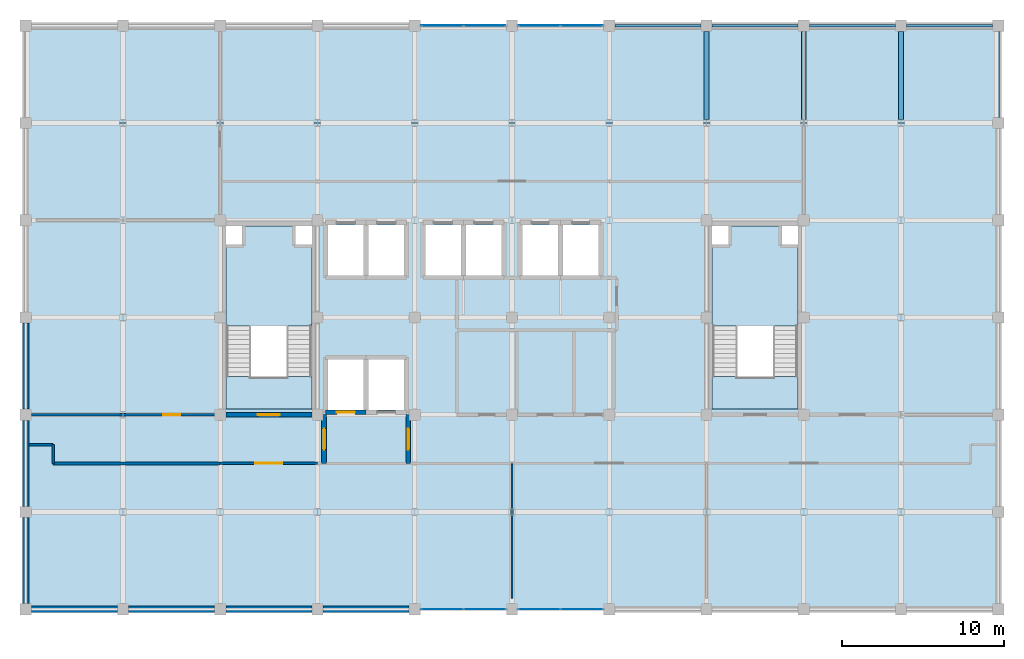
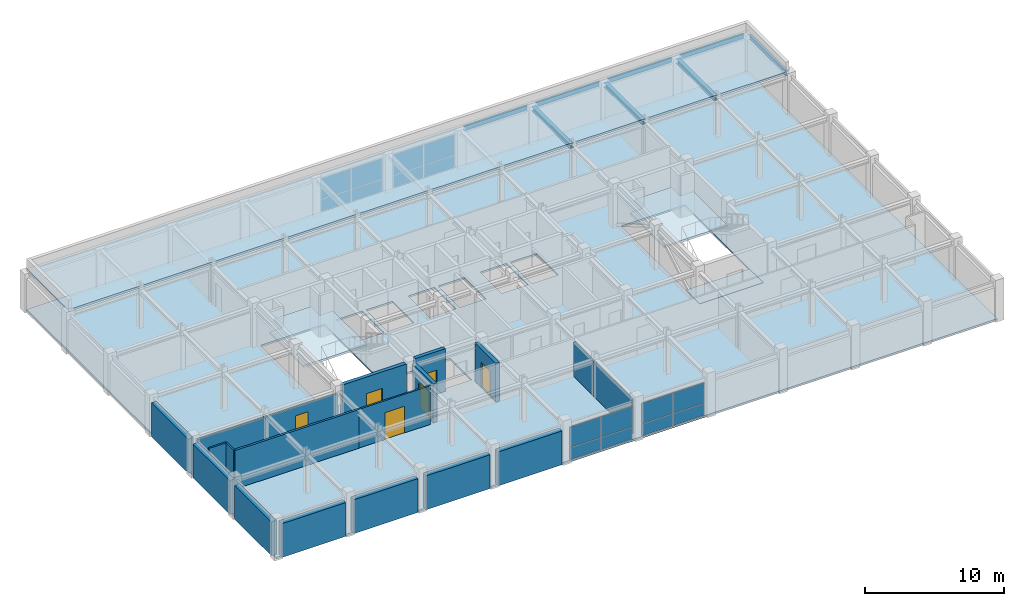
# One storey, part 9 of 12: 18 walls, 16 plates, 8 beams, 6 doors, 6 slabs, 6 openings, 6 elements without a shape of their own.
"""IFC4 building model written with IfcOpenShell, lengths in metres."""

from ifc_helpers import new_model, si_unit, direction, frame, frame_2d, origin, origin_2d, place, context, subcontext, project, spatial, polyline, rectangle, i_section, outline, extrude, material, layer, layer_set, material_profile, profile_set, type_object, element, fill, aggregate, save


model = new_model("IFC4")

# Units and contexts
model_context = context("Model", 3, precision=1e-05, world=origin(), true_north=direction((0.0, 1.0)))
body_context = subcontext(model_context, "Body", "Model", "MODEL_VIEW")
ifc_project = project(units=[si_unit("LENGTHUNIT", "METRE"), si_unit("AREAUNIT", "SQUARE_METRE"), si_unit("VOLUMEUNIT", "CUBIC_METRE"), si_unit("PLANEANGLEUNIT", "RADIAN"), si_unit("MASSUNIT", "GRAM", prefix="KILO")], contexts=[model_context])

# Site, building, storey
site_placement = place(None, origin())
site = spatial("IfcSite", under=ifc_project, at=site_placement, CompositionType="ELEMENT")
building_placement = place(site_placement, origin())
building = spatial("IfcBuilding", under=site, at=building_placement, Name="Zlatovratsky Civic Hall", CompositionType="ELEMENT")
storey_placement = place(building_placement, frame((0.0, 0.0, 32.699951171875)))
storey = spatial("IfcBuildingStorey", under=building, at=storey_placement, Name="L08", CompositionType="ELEMENT", Elevation=32.699951171875)

# Beams
ifc_material_1 = material(Name="Steel S355", Category="steel")
ifc_material_profile_1 = material_profile(ifc_material_1, i_section(OverallWidth=0.169921875, OverallDepth=0.446044921875, WebThickness=0.007568359375, FlangeThickness=0.010986328125, FilletRadius=0.01611328125, at=origin_2d()), Name="45B1")
ifc_profile_set_1 = profile_set([ifc_material_profile_1], Name="Steel S355")
beam_type_1 = type_object("IfcBeamType", Name="Beam_Spandrel_45B1", PredefinedType="SPANDREL", material=ifc_profile_set_1)
for number, where, z_axis, x_axis, name in (
    (1, (90.35009765625, 108.0, 3.177001953125), (1.0, 0.0, 0.0), (0.0, 1.0, 0.0), "BM-4445"),
    (2, (96.35009765625, 108.0, 3.177001953125), (1.0, 0.0, 0.0), (0.0, 1.0, 0.0), "BM-4446"),
    (3, (102.35009765625, 108.0, 3.177001953125), (1.0, 0.0, 0.0), (0.0, 1.0, 0.0), "BM-4447"),
    (4, (108.35009765625, 108.0, 3.177001953125), (1.0, 0.0, 0.0), (0.0, 1.0, 0.0), "BM-4448"),
    (5, (114.0, 102.35009765625, 3.177001953125), (0.0, 1.0, 0.0), (-1.0, 0.0, 0.0), "BM-4514"),
):
    element("IfcBeam", number, at=place(storey_placement, frame(where, z_axis=z_axis, x_axis=x_axis)), inside=storey, type_object=beam_type_1, Name=name, PredefinedType="SPANDREL", context=body_context, shape_type="SweptSolid", body=[
        extrude(i_section(OverallWidth=0.169921875, OverallDepth=0.446044921875, WebThickness=0.007568359375, FlangeThickness=0.010986328125, FilletRadius=0.01611328125, at=origin_2d()), origin(), (0.0, 0.0, 1.0), 5.2998046875),
    ])
ifc_material_profile_2 = material_profile(ifc_material_1, i_section(OverallWidth=0.300048828125, OverallDepth=0.387939453125, WebThickness=0.009521484375, FlangeThickness=0.013916015625, FilletRadius=0.02197265625, at=origin_2d()), Name="40Sh1")
ifc_profile_set_2 = profile_set([ifc_material_profile_2], Name="Steel S355")
beam_type_2 = type_object("IfcBeamType", Name="Beam_TowerMid_40Sh1", PredefinedType="BEAM", material=ifc_profile_set_2)
for number, where, z_axis, x_axis, name in (
    (6, (96.0, 102.197021484375, 3.2060546875), (0.0, 1.0, 0.0), (-1.0, 0.0, 0.0), "BM-4496"),
    (7, (102.0, 102.197021484375, 3.2060546875), (0.0, 1.0, 0.0), (-1.0, 0.0, 0.0), "BM-4502"),
    (8, (108.0, 102.197021484375, 3.2060546875), (0.0, 1.0, 0.0), (-1.0, 0.0, 0.0), "BM-4508"),
):
    element("IfcBeam", number, at=place(storey_placement, frame(where, z_axis=z_axis, x_axis=x_axis)), inside=storey, type_object=beam_type_2, Name=name, PredefinedType="BEAM", context=body_context, shape_type="SweptSolid", body=[
        extrude(i_section(OverallWidth=0.300048828125, OverallDepth=0.387939453125, WebThickness=0.009521484375, FlangeThickness=0.013916015625, FilletRadius=0.02197265625, at=origin_2d()), origin(), (0.0, 0.0, 1.0), 5.452880859375),
    ])

# Curtain wall, plates
ifc_material_2 = material(Name="Anodised bronze aluminium", Category="aluminium")
ifc_layer_1 = layer(ifc_material_2, 0.159912109375)
ifc_layer_set_1 = layer_set([ifc_layer_1], Name="Anodised bronze aluminium")
curtain_wall_type = type_object("IfcCurtainWallType", Name="CurtainWall_Bronze_5300x2980_22", PredefinedType="NOTDEFINED", material=ifc_layer_set_1)
curtain_wall_1_placement = place(storey_placement, origin())
curtain_wall_1 = element("IfcCurtainWall", 9, at=curtain_wall_1_placement, inside=storey, type_object=curtain_wall_type, Name="CW-141", PredefinedType="NOTDEFINED")
ifc_material_3 = material(Name="Solar-control triple glazing", Category="glass")
ifc_layer_2 = layer(ifc_material_3, 0.028076171875)
ifc_layer_set_2 = layer_set([ifc_layer_2], Name="Solar-control triple glazing")
plate_type = type_object("IfcPlateType", Name="Panel_TowerTripleGlazing_28", PredefinedType="CURTAIN_PANEL", material=ifc_layer_set_2)
plate_1_placement = place(storey_placement, frame((79.68994140625, 72.0, 0.06005859375), z_axis=(0.0, 0.0, 1.0), x_axis=(1.0, 0.0, 0.0)))
plate_1 = element("IfcPlate", 10, at=plate_1_placement, type_object=plate_type, Name="CW-22 panel 1.1", PredefinedType="CURTAIN_PANEL", context=body_context, shape_type="SweptSolid", body=[
    extrude(rectangle(XDim=2.56005859375, YDim=0.028076171875, at=origin_2d()), origin(), (0.0, 0.0, 1.0), 1.010009765625),
])
plate_2_placement = place(storey_placement, frame((79.68994140625, 72.0, 1.130126953125), z_axis=(0.0, 0.0, 1.0), x_axis=(1.0, 0.0, 0.0)))
plate_2 = element("IfcPlate", 11, at=plate_2_placement, type_object=plate_type, Name="CW-22 panel 1.2", PredefinedType="CURTAIN_PANEL", context=body_context, shape_type="SweptSolid", body=[
    extrude(rectangle(XDim=2.56005859375, YDim=0.028076171875, at=origin_2d()), origin(), (0.0, 0.0, 1.0), 1.7900390625),
])
plate_3_placement = place(storey_placement, frame((82.31005859375, 72.0, 0.06005859375), z_axis=(0.0, 0.0, 1.0), x_axis=(1.0, 0.0, 0.0)))
plate_3 = element("IfcPlate", 12, at=plate_3_placement, type_object=plate_type, Name="CW-22 panel 2.1", PredefinedType="CURTAIN_PANEL", context=body_context, shape_type="SweptSolid", body=[
    extrude(rectangle(XDim=2.56005859375, YDim=0.028076171875, at=origin_2d()), origin(), (0.0, 0.0, 1.0), 1.010009765625),
])
plate_4_placement = place(storey_placement, frame((82.31005859375, 72.0, 1.130126953125), z_axis=(0.0, 0.0, 1.0), x_axis=(1.0, 0.0, 0.0)))
plate_4 = element("IfcPlate", 13, at=plate_4_placement, type_object=plate_type, Name="CW-22 panel 2.2", PredefinedType="CURTAIN_PANEL", context=body_context, shape_type="SweptSolid", body=[
    extrude(rectangle(XDim=2.56005859375, YDim=0.028076171875, at=origin_2d()), origin(), (0.0, 0.0, 1.0), 1.7900390625),
])
aggregate(curtain_wall_1, [plate_1, plate_2, plate_3, plate_4])

curtain_wall_2_placement = place(storey_placement, origin())
curtain_wall_2 = element("IfcCurtainWall", 14, at=curtain_wall_2_placement, inside=storey, type_object=curtain_wall_type, Name="CW-142", PredefinedType="NOTDEFINED")
plate_5_placement = place(storey_placement, frame((85.68994140625, 72.0, 0.06005859375), z_axis=(0.0, 0.0, 1.0), x_axis=(1.0, 0.0, 0.0)))
plate_5 = element("IfcPlate", 15, at=plate_5_placement, type_object=plate_type, Name="CW-22 panel 1.1", PredefinedType="CURTAIN_PANEL", context=body_context, shape_type="SweptSolid", body=[
    extrude(rectangle(XDim=2.56005859375, YDim=0.028076171875, at=origin_2d()), origin(), (0.0, 0.0, 1.0), 1.010009765625),
])
plate_6_placement = place(storey_placement, frame((85.68994140625, 72.0, 1.130126953125), z_axis=(0.0, 0.0, 1.0), x_axis=(1.0, 0.0, 0.0)))
plate_6 = element("IfcPlate", 16, at=plate_6_placement, type_object=plate_type, Name="CW-22 panel 1.2", PredefinedType="CURTAIN_PANEL", context=body_context, shape_type="SweptSolid", body=[
    extrude(rectangle(XDim=2.56005859375, YDim=0.028076171875, at=origin_2d()), origin(), (0.0, 0.0, 1.0), 1.7900390625),
])
plate_7_placement = place(storey_placement, frame((88.31005859375, 72.0, 0.06005859375), z_axis=(0.0, 0.0, 1.0), x_axis=(1.0, 0.0, 0.0)))
plate_7 = element("IfcPlate", 17, at=plate_7_placement, type_object=plate_type, Name="CW-22 panel 2.1", PredefinedType="CURTAIN_PANEL", context=body_context, shape_type="SweptSolid", body=[
    extrude(rectangle(XDim=2.56005859375, YDim=0.028076171875, at=origin_2d()), origin(), (0.0, 0.0, 1.0), 1.010009765625),
])
plate_8_placement = place(storey_placement, frame((88.31005859375, 72.0, 1.130126953125), z_axis=(0.0, 0.0, 1.0), x_axis=(1.0, 0.0, 0.0)))
plate_8 = element("IfcPlate", 18, at=plate_8_placement, type_object=plate_type, Name="CW-22 panel 2.2", PredefinedType="CURTAIN_PANEL", context=body_context, shape_type="SweptSolid", body=[
    extrude(rectangle(XDim=2.56005859375, YDim=0.028076171875, at=origin_2d()), origin(), (0.0, 0.0, 1.0), 1.7900390625),
])
aggregate(curtain_wall_2, [plate_5, plate_6, plate_7, plate_8])

curtain_wall_3_placement = place(storey_placement, origin())
curtain_wall_3 = element("IfcCurtainWall", 19, at=curtain_wall_3_placement, inside=storey, type_object=curtain_wall_type, Name="CW-143", PredefinedType="NOTDEFINED")
plate_9_placement = place(storey_placement, frame((79.68994140625, 108.0, 0.06005859375), z_axis=(0.0, 0.0, 1.0), x_axis=(1.0, 0.0, 0.0)))
plate_9 = element("IfcPlate", 20, at=plate_9_placement, type_object=plate_type, Name="CW-22 panel 1.1", PredefinedType="CURTAIN_PANEL", context=body_context, shape_type="SweptSolid", body=[
    extrude(rectangle(XDim=2.56005859375, YDim=0.028076171875, at=origin_2d()), origin(), (0.0, 0.0, 1.0), 1.010009765625),
])
plate_10_placement = place(storey_placement, frame((79.68994140625, 108.0, 1.130126953125), z_axis=(0.0, 0.0, 1.0), x_axis=(1.0, 0.0, 0.0)))
plate_10 = element("IfcPlate", 21, at=plate_10_placement, type_object=plate_type, Name="CW-22 panel 1.2", PredefinedType="CURTAIN_PANEL", context=body_context, shape_type="SweptSolid", body=[
    extrude(rectangle(XDim=2.56005859375, YDim=0.028076171875, at=origin_2d()), origin(), (0.0, 0.0, 1.0), 1.7900390625),
])
plate_11_placement = place(storey_placement, frame((82.31005859375, 108.0, 0.06005859375), z_axis=(0.0, 0.0, 1.0), x_axis=(1.0, 0.0, 0.0)))
plate_11 = element("IfcPlate", 22, at=plate_11_placement, type_object=plate_type, Name="CW-22 panel 2.1", PredefinedType="CURTAIN_PANEL", context=body_context, shape_type="SweptSolid", body=[
    extrude(rectangle(XDim=2.56005859375, YDim=0.028076171875, at=origin_2d()), origin(), (0.0, 0.0, 1.0), 1.010009765625),
])
plate_12_placement = place(storey_placement, frame((82.31005859375, 108.0, 1.130126953125), z_axis=(0.0, 0.0, 1.0), x_axis=(1.0, 0.0, 0.0)))
plate_12 = element("IfcPlate", 23, at=plate_12_placement, type_object=plate_type, Name="CW-22 panel 2.2", PredefinedType="CURTAIN_PANEL", context=body_context, shape_type="SweptSolid", body=[
    extrude(rectangle(XDim=2.56005859375, YDim=0.028076171875, at=origin_2d()), origin(), (0.0, 0.0, 1.0), 1.7900390625),
])
aggregate(curtain_wall_3, [plate_9, plate_10, plate_11, plate_12])

curtain_wall_4_placement = place(storey_placement, origin())
curtain_wall_4 = element("IfcCurtainWall", 24, at=curtain_wall_4_placement, inside=storey, type_object=curtain_wall_type, Name="CW-144", PredefinedType="NOTDEFINED")
plate_13_placement = place(storey_placement, frame((85.68994140625, 108.0, 0.06005859375), z_axis=(0.0, 0.0, 1.0), x_axis=(1.0, 0.0, 0.0)))
plate_13 = element("IfcPlate", 25, at=plate_13_placement, type_object=plate_type, Name="CW-22 panel 1.1", PredefinedType="CURTAIN_PANEL", context=body_context, shape_type="SweptSolid", body=[
    extrude(rectangle(XDim=2.56005859375, YDim=0.028076171875, at=origin_2d()), origin(), (0.0, 0.0, 1.0), 1.010009765625),
])
plate_14_placement = place(storey_placement, frame((85.68994140625, 108.0, 1.130126953125), z_axis=(0.0, 0.0, 1.0), x_axis=(1.0, 0.0, 0.0)))
plate_14 = element("IfcPlate", 26, at=plate_14_placement, type_object=plate_type, Name="CW-22 panel 1.2", PredefinedType="CURTAIN_PANEL", context=body_context, shape_type="SweptSolid", body=[
    extrude(rectangle(XDim=2.56005859375, YDim=0.028076171875, at=origin_2d()), origin(), (0.0, 0.0, 1.0), 1.7900390625),
])
plate_15_placement = place(storey_placement, frame((88.31005859375, 108.0, 0.06005859375), z_axis=(0.0, 0.0, 1.0), x_axis=(1.0, 0.0, 0.0)))
plate_15 = element("IfcPlate", 27, at=plate_15_placement, type_object=plate_type, Name="CW-22 panel 2.1", PredefinedType="CURTAIN_PANEL", context=body_context, shape_type="SweptSolid", body=[
    extrude(rectangle(XDim=2.56005859375, YDim=0.028076171875, at=origin_2d()), origin(), (0.0, 0.0, 1.0), 1.010009765625),
])
plate_16_placement = place(storey_placement, frame((88.31005859375, 108.0, 1.130126953125), z_axis=(0.0, 0.0, 1.0), x_axis=(1.0, 0.0, 0.0)))
plate_16 = element("IfcPlate", 28, at=plate_16_placement, type_object=plate_type, Name="CW-22 panel 2.2", PredefinedType="CURTAIN_PANEL", context=body_context, shape_type="SweptSolid", body=[
    extrude(rectangle(XDim=2.56005859375, YDim=0.028076171875, at=origin_2d()), origin(), (0.0, 0.0, 1.0), 1.7900390625),
])
aggregate(curtain_wall_4, [plate_13, plate_14, plate_15, plate_16])

# Slabs
ifc_material_4 = material(Name="Concrete C35/45 (B40)", Category="concrete")
ifc_layer_3 = layer(ifc_material_4, 0.199951171875)
ifc_layer_set_3 = layer_set([ifc_layer_3], Name="Concrete C35/45 (B40)")
slab_type_1 = type_object("IfcSlabType", Name="Slab_ChamberCofferedRoof_200", PredefinedType="ROOF", material=ifc_layer_set_3)
slab_1_placement = place(storey_placement, frame((0.0, 0.0, 3.400146484375)))
element("IfcSlab", 29, at=slab_1_placement, inside=storey, type_object=slab_type_1, Name="SL-101", PredefinedType="ROOF", context=body_context, shape_type="SweptSolid", body=[
    extrude(outline(polyline([(54.0, 102.0), (114.0, 102.0), (114.0, 108.0), (54.0, 108.0), (54.0, 102.0)])), origin(), (0.0, 0.0, 1.0), 0.199951171875),
])
ifc_material_5 = material(Name="Concrete C30/37 (B35)", Category="concrete")
ifc_layer_4 = layer(ifc_material_5, 0.239990234375)
ifc_layer_set_4 = layer_set([ifc_layer_4], Name="Concrete C30/37 (B35)")
slab_type_2 = type_object("IfcSlabType", Name="Slab_CivicPodiumFloor_240", PredefinedType="FLOOR", material=ifc_layer_set_4)
slab_2_placement = place(storey_placement, frame((0.0, 0.0, -0.239990234375)))
element("IfcSlab", 30, at=slab_2_placement, inside=storey, type_object=slab_type_2, Name="SL-057", PredefinedType="FLOOR", context=body_context, shape_type="SweptSolid", body=[
    extrude(outline(polyline([(66.35009765625, 84.35009765625), (71.64990234375, 84.35009765625), (71.64990234375, 86.35009765625), (66.35009765625, 86.35009765625), (66.35009765625, 84.35009765625)])), origin(), (0.0, 0.0, 1.0), 0.239990234375),
])
slab_3_placement = place(storey_placement, frame((0.0, 0.0, -0.239990234375)))
element("IfcSlab", 31, at=slab_3_placement, inside=storey, type_object=slab_type_2, Name="SL-058", PredefinedType="FLOOR", context=body_context, shape_type="SweptSolid", body=[
    extrude(outline(polyline([(96.35009765625, 84.35009765625), (101.64990234375, 84.35009765625), (101.64990234375, 86.35009765625), (96.35009765625, 86.35009765625), (96.35009765625, 84.35009765625)])), origin(), (0.0, 0.0, 1.0), 0.239990234375),
])

# Stair, slab
stair_type = type_object("IfcStairType", Name="Stair_HALF_24R_1550W_04", PredefinedType="HALF_TURN_STAIR", material=ifc_material_5)
stair_1_placement = place(storey_placement, origin())
stair_1 = element("IfcStair", 32, at=stair_1_placement, inside=storey, type_object=stair_type, Name="ST-009", PredefinedType="HALF_TURN_STAIR")
ifc_layer_5 = layer(ifc_material_5, 0.179931640625)
ifc_layer_set_5 = layer_set([ifc_layer_5], Name="Concrete C30/37 (B35)")
slab_type_3 = type_object("IfcSlabType", Name="Slab_StairLanding_180", PredefinedType="LANDING", material=ifc_layer_set_5)
slab_4_placement = place(storey_placement, frame((0.0, 0.0, 1.77001953125)))
slab_4 = element("IfcSlab", 33, at=slab_4_placement, type_object=slab_type_3, Name="SL-LD-09", PredefinedType="LANDING", context=body_context, shape_type="SweptSolid", body=[
    extrude(outline(polyline([(66.35009765625, 89.485107421875), (71.64990234375, 89.485107421875), (71.64990234375, 94.39990234375), (70.550048828125, 94.39990234375), (70.550048828125, 95.64990234375), (67.449951171875, 95.64990234375), (67.449951171875, 94.39990234375), (66.35009765625, 94.39990234375), (66.35009765625, 89.485107421875)])), origin(), (0.0, 0.0, 1.0), 0.179931640625),
])
aggregate(stair_1, [slab_4])

stair_2_placement = place(storey_placement, origin())
stair_2 = element("IfcStair", 34, at=stair_2_placement, inside=storey, type_object=stair_type, Name="ST-028", PredefinedType="HALF_TURN_STAIR")
slab_5_placement = place(storey_placement, frame((0.0, 0.0, 1.77001953125)))
slab_5 = element("IfcSlab", 35, at=slab_5_placement, type_object=slab_type_3, Name="SL-LD-28", PredefinedType="LANDING", context=body_context, shape_type="SweptSolid", body=[
    extrude(outline(polyline([(96.35009765625, 89.485107421875), (101.64990234375, 89.485107421875), (101.64990234375, 94.39990234375), (100.550048828125, 94.39990234375), (100.550048828125, 95.64990234375), (97.449951171875, 95.64990234375), (97.449951171875, 94.39990234375), (96.35009765625, 94.39990234375), (96.35009765625, 89.485107421875)])), origin(), (0.0, 0.0, 1.0), 0.179931640625),
])
aggregate(stair_2, [slab_5])

# Slab
ifc_layer_6 = layer(ifc_material_5, 0.159912109375)
ifc_layer_set_6 = layer_set([ifc_layer_6], Name="Concrete C30/37 (B35)")
slab_type_4 = type_object("IfcSlabType", Name="Slab_TowerCompositeFloor_160", PredefinedType="FLOOR", material=ifc_layer_set_6)
slab_6_placement = place(storey_placement, frame((0.0, 0.0, -0.159912109375)))
element("IfcSlab", 36, at=slab_6_placement, inside=storey, type_object=slab_type_4, Name="SL-056", PredefinedType="FLOOR", context=body_context, shape_type="SweptSolid", body=[
    extrude(outline(polyline([(54.0, 72.0), (114.0, 72.0), (114.0, 108.0), (54.0, 108.0), (54.0, 72.0)]), holes=[polyline([(66.35009765625, 84.35009765625), (71.64990234375, 84.35009765625), (71.64990234375, 95.64990234375), (66.35009765625, 95.64990234375), (66.35009765625, 84.35009765625)]), polyline([(96.35009765625, 84.35009765625), (101.64990234375, 84.35009765625), (101.64990234375, 95.64990234375), (96.35009765625, 95.64990234375), (96.35009765625, 84.35009765625)]), polyline([(72.64990234375, 84.300048828125), (74.85009765625, 84.300048828125), (74.85009765625, 87.39990234375), (72.64990234375, 87.39990234375), (72.64990234375, 84.300048828125)]), polyline([(75.14990234375, 84.300048828125), (77.35009765625, 84.300048828125), (77.35009765625, 87.39990234375), (75.14990234375, 87.39990234375), (75.14990234375, 84.300048828125)]), polyline([(72.64990234375, 92.60009765625), (74.85009765625, 92.60009765625), (74.85009765625, 95.699951171875), (72.64990234375, 95.699951171875), (72.64990234375, 92.60009765625)]), polyline([(75.14990234375, 92.60009765625), (77.35009765625, 92.60009765625), (77.35009765625, 95.699951171875), (75.14990234375, 95.699951171875), (75.14990234375, 92.60009765625)]), polyline([(78.64990234375, 92.60009765625), (80.85009765625, 92.60009765625), (80.85009765625, 95.699951171875), (78.64990234375, 95.699951171875), (78.64990234375, 92.60009765625)]), polyline([(81.14990234375, 92.60009765625), (83.35009765625, 92.60009765625), (83.35009765625, 95.699951171875), (81.14990234375, 95.699951171875), (81.14990234375, 92.60009765625)]), polyline([(84.64990234375, 92.60009765625), (86.85009765625, 92.60009765625), (86.85009765625, 95.699951171875), (84.64990234375, 95.699951171875), (84.64990234375, 92.60009765625)]), polyline([(87.14990234375, 92.60009765625), (89.35009765625, 92.60009765625), (89.35009765625, 95.699951171875), (87.14990234375, 95.699951171875), (87.14990234375, 92.60009765625)])]), origin(), (0.0, 0.0, 1.0), 0.159912109375),
])

# Wall
ifc_material_6 = material(Name="Acoustic ceramic blockwork", Category="masonry")
ifc_layer_7 = layer(ifc_material_6, 0.179931640625)
ifc_layer_set_7 = layer_set([ifc_layer_7], Name="Acoustic ceramic blockwork")
wall_type_1 = type_object("IfcWallType", Name="Wall_AcousticChamberPartition_180", PredefinedType="PARTITIONING", material=ifc_layer_set_7)
wall_1_placement = place(storey_placement, frame((55.699951171875, 81.0, 0.0), z_axis=(0.0, 0.0, 1.0), x_axis=(1.0, 0.0, 0.0)))
element("IfcWall", 37, at=wall_1_placement, inside=storey, type_object=wall_type_1, Name="WL-6425", PredefinedType="PARTITIONING", context=body_context, shape_type="SweptSolid", body=[
    extrude(rectangle(XDim=10.300048828125, YDim=0.179931640625, at=frame_2d((5.14990234375, 0.0))), origin(), (0.0, 0.0, 1.0), 3.400146484375),
])

# Wall, opening, door
ifc_material_7 = material(Name="Fire-rated gypsum board framing", Category="gypsum")
ifc_layer_8 = layer(ifc_material_7, 0.139892578125)
ifc_layer_set_8 = layer_set([ifc_layer_8], Name="Fire-rated gypsum board framing")
wall_type_2 = type_object("IfcWallType", Name="Wall_OfficePartition_140", PredefinedType="PARTITIONING", material=ifc_layer_set_8)
wall_2_placement = place(storey_placement, frame((66.0, 81.0, 0.0), z_axis=(0.0, 0.0, 1.0), x_axis=(1.0, 0.0, 0.0)))
wall_2 = element("IfcWall", 38, at=wall_2_placement, inside=storey, type_object=wall_type_2, Name="WL-6411", PredefinedType="PARTITIONING", context=body_context, shape_type="SweptSolid", body=[
    extrude(rectangle(XDim=6.0, YDim=0.139892578125, at=frame_2d((3.0, 0.0))), origin(), (0.0, 0.0, 1.0), 3.400146484375),
])
opening_1_placement = place(wall_2_placement, frame((2.175048828125, 0.0, 0.0)))
opening_1 = element("IfcOpeningElement", 39, at=opening_1_placement, cuts=wall_2, Name="Opening D-25", PredefinedType="OPENING", context=body_context, shape_type="SweptSolid", body=[
    extrude(rectangle(XDim=1.64990234375, YDim=2.35009765625, at=frame_2d((0.824951171875, 1.175048828125))), frame((0.0, 0.0849609375, 0.0), z_axis=(0.0, -1.0, 0.0), x_axis=(1.0, 0.0, 0.0)), (0.0, 0.0, 1.0), 0.169677734375),
])
ifc_material_8 = material(Name="Solid oak joinery in steel frame", Category="steel")
door_type_1 = type_object("IfcDoorType", Name="Door_OpenStudioDouble_1650x2350", OperationType="DOUBLE_DOOR_SINGLE_SWING", PredefinedType="DOOR", material=ifc_material_8)
door_1_placement = place(opening_1_placement, origin())
door_1 = element("IfcDoor", 40, at=door_1_placement, inside=storey, type_object=door_type_1, Name="DR-5408", OperationType="DOUBLE_DOOR_SINGLE_SWING", OverallHeight=2.35009765625, OverallWidth=1.64990234375, PredefinedType="DOOR", context=body_context, shape_type="SweptSolid", body=[
    extrude(rectangle(XDim=1.64990234375, YDim=2.35009765625, at=frame_2d((0.824951171875, 1.175048828125))), frame((0.0, 0.02490234375, 0.0), z_axis=(0.0, -1.0, 0.0), x_axis=(1.0, 0.0, 0.0)), (0.0, 0.0, 1.0), 0.050048828125),
])
fill(opening_1, door_1)

wall_3_placement = place(storey_placement, frame((60.0, 84.0, 0.0), z_axis=(0.0, 0.0, 1.0), x_axis=(1.0, 0.0, 0.0)))
wall_3 = element("IfcWall", 41, at=wall_3_placement, inside=storey, type_object=wall_type_2, Name="WL-6414", PredefinedType="PARTITIONING", context=body_context, shape_type="SweptSolid", body=[
    extrude(rectangle(XDim=6.0, YDim=0.139892578125, at=frame_2d((3.0, 0.0))), origin(), (0.0, 0.0, 1.0), 3.011962890625),
])
opening_2_placement = place(wall_3_placement, frame((2.47509765625, 0.0, 0.0)))
opening_2 = element("IfcOpeningElement", 42, at=opening_2_placement, cuts=wall_3, Name="Opening D-24", PredefinedType="OPENING", context=body_context, shape_type="SweptSolid", body=[
    extrude(rectangle(XDim=1.050048828125, YDim=2.25, at=frame_2d((0.52490234375, 1.125))), frame((0.0, 0.0849609375, 0.0), z_axis=(0.0, -1.0, 0.0), x_axis=(1.0, 0.0, 0.0)), (0.0, 0.0, 1.0), 0.169677734375),
])
door_type_2 = type_object("IfcDoorType", Name="Door_DirectorateOffice_1050x2250", OperationType="NOTDEFINED", PredefinedType="DOOR", material=ifc_material_8)
door_2_placement = place(opening_2_placement, origin())
door_2 = element("IfcDoor", 43, at=door_2_placement, inside=storey, type_object=door_type_2, Name="DR-5411", OperationType="SINGLE_SWING_LEFT", OverallHeight=2.25, OverallWidth=1.050048828125, PredefinedType="DOOR", context=body_context, shape_type="SweptSolid", body=[
    extrude(rectangle(XDim=1.050048828125, YDim=2.25, at=frame_2d((0.52490234375, 1.125))), frame((0.0, 0.02490234375, 0.0), z_axis=(0.0, -1.0, 0.0), x_axis=(1.0, 0.0, 0.0)), (0.0, 0.0, 1.0), 0.050048828125),
])
fill(opening_2, door_2)

# Walls
wall_4_placement = place(storey_placement, frame((84.0, 72.64990234375, 0.0), z_axis=(0.0, 0.0, 1.0), x_axis=(0.0, 1.0, 0.0)))
element("IfcWall", 44, at=wall_4_placement, inside=storey, type_object=wall_type_2, Name="WL-6417", PredefinedType="PARTITIONING", context=body_context, shape_type="SweptSolid", body=[
    extrude(rectangle(XDim=8.35009765625, YDim=0.139892578125, at=frame_2d((4.175048828125, 0.0))), origin(), (0.0, 0.0, 1.0), 3.011962890625),
])
wall_5_placement = place(storey_placement, frame((55.699951171875, 81.0, 0.0), z_axis=(0.0, 0.0, 1.0), x_axis=(0.0, 1.0, 0.0)))
element("IfcWall", 45, at=wall_5_placement, inside=storey, type_object=wall_type_2, Name="WL-6428", PredefinedType="PARTITIONING", context=body_context, shape_type="SweptSolid", body=[
    extrude(rectangle(XDim=1.14990234375, YDim=0.139892578125, at=frame_2d((0.574951171875, 0.0))), origin(), (0.0, 0.0, 1.0), 3.400146484375),
])
wall_6_placement = place(storey_placement, frame((55.699951171875, 82.14990234375, 0.0), z_axis=(0.0, 0.0, 1.0), x_axis=(-1.0, 0.0, 0.0)))
element("IfcWall", 46, at=wall_6_placement, inside=storey, type_object=wall_type_2, Name="WL-6429", PredefinedType="PARTITIONING", context=body_context, shape_type="SweptSolid", body=[
    extrude(rectangle(XDim=1.489990234375, YDim=0.139892578125, at=frame_2d((0.7451171875, 0.0))), origin(), (0.0, 0.0, 1.0), 3.400146484375),
])
wall_7_placement = place(storey_placement, frame((54.35009765625, 84.0, 0.0), z_axis=(0.0, 0.0, 1.0), x_axis=(1.0, 0.0, 0.0)))
element("IfcWall", 47, at=wall_7_placement, inside=storey, type_object=wall_type_2, Name="WL-6435", PredefinedType="PARTITIONING", context=body_context, shape_type="SweptSolid", body=[
    extrude(rectangle(XDim=5.64990234375, YDim=0.139892578125, at=frame_2d((2.824951171875, 0.0))), origin(), (0.0, 0.0, 1.0), 3.011962890625),
])

# Wall, opening, door
ifc_layer_9 = layer(ifc_material_4, 0.300048828125)
ifc_layer_set_9 = layer_set([ifc_layer_9], Name="Concrete C35/45 (B40)")
wall_type_3 = type_object("IfcWallType", Name="Wall_StairAndLiftShaft_300", PredefinedType="SHEAR", material=ifc_layer_set_9)
wall_8_placement = place(storey_placement, frame((66.35009765625, 84.0, 0.0), z_axis=(0.0, 0.0, 1.0), x_axis=(1.0, 0.0, 0.0)))
wall_8 = element("IfcWall", 48, at=wall_8_placement, inside=storey, type_object=wall_type_3, Name="WL-5065", PredefinedType="SHEAR", context=body_context, shape_type="SweptSolid", body=[
    extrude(rectangle(XDim=5.2998046875, YDim=0.300048828125, at=frame_2d((2.64990234375, 0.0))), origin(), (0.0, 0.0, 1.0), 3.66015625),
])
opening_3_placement = place(wall_8_placement, frame((1.97509765625, 0.0, 0.0)))
opening_3 = element("IfcOpeningElement", 49, at=opening_3_placement, cuts=wall_8, Name="Opening D-17", PredefinedType="OPENING", context=body_context, shape_type="SweptSolid", body=[
    extrude(rectangle(XDim=1.35009765625, YDim=2.199951171875, at=frame_2d((0.675048828125, 1.10009765625))), frame((0.0, 0.1650390625, 0.0), z_axis=(0.0, -1.0, 0.0), x_axis=(1.0, 0.0, 0.0)), (0.0, 0.0, 1.0), 0.329833984375),
])
ifc_material_9 = material(Name="Insulated painted fire-rated steel leaf", Category="steel")
door_type_3 = type_object("IfcDoorType", Name="Door_StairwellFireTower_1350x2200", OperationType="NOTDEFINED", PredefinedType="DOOR", material=ifc_material_9)
door_3_placement = place(opening_3_placement, origin())
door_3 = element("IfcDoor", 50, at=door_3_placement, inside=storey, type_object=door_type_3, Name="DR-5009", OperationType="SINGLE_SWING_LEFT", OverallHeight=2.199951171875, OverallWidth=1.35009765625, PredefinedType="DOOR", context=body_context, shape_type="SweptSolid", body=[
    extrude(rectangle(XDim=1.35009765625, YDim=2.199951171875, at=frame_2d((0.675048828125, 1.10009765625))), frame((0.0, 0.02490234375, 0.0), z_axis=(0.0, -1.0, 0.0), x_axis=(1.0, 0.0, 0.0)), (0.0, 0.0, 1.0), 0.050048828125),
])
fill(opening_3, door_3)

wall_9_placement = place(storey_placement, frame((72.5, 84.14990234375, 0.0), z_axis=(0.0, 0.0, 1.0), x_axis=(1.0, 0.0, 0.0)))
wall_9 = element("IfcWall", 51, at=wall_9_placement, inside=storey, type_object=wall_type_3, Name="WL-5517", PredefinedType="SHEAR", context=body_context, shape_type="SweptSolid", body=[
    extrude(rectangle(XDim=2.5, YDim=0.300048828125, at=frame_2d((1.25, 0.0))), origin(), (0.0, 0.0, 1.0), 3.739990234375),
])
opening_4_placement = place(wall_9_placement, frame((0.699951171875, 0.0, 0.0)))
opening_4 = element("IfcOpeningElement", 52, at=opening_4_placement, cuts=wall_9, Name="Opening LD-01", PredefinedType="OPENING", context=body_context, shape_type="SweptSolid", body=[
    extrude(rectangle(XDim=1.10009765625, YDim=2.10009765625, at=frame_2d((0.550048828125, 1.050048828125))), frame((0.0, 0.1650390625, 0.0), z_axis=(0.0, -1.0, 0.0), x_axis=(1.0, 0.0, 0.0)), (0.0, 0.0, 1.0), 0.329833984375),
])
ifc_material_10 = material(Name="Brushed stainless steel AISI 304", Category="steel")
door_type_4 = type_object("IfcDoorType", Name="Door_LiftLandingFire_1100x2100", OperationType="DOUBLE_DOOR_SLIDING", PredefinedType="DOOR", material=ifc_material_10)
door_4_placement = place(opening_4_placement, origin())
door_4 = element("IfcDoor", 53, at=door_4_placement, inside=storey, type_object=door_type_4, Name="Lift landing door LD-5067", OperationType="DOUBLE_DOOR_SLIDING", OverallHeight=2.10009765625, OverallWidth=1.10009765625, PredefinedType="DOOR", context=body_context, shape_type="SweptSolid", body=[
    extrude(rectangle(XDim=1.10009765625, YDim=2.10009765625, at=frame_2d((0.550048828125, 1.050048828125))), frame((0.0, 0.02490234375, 0.0), z_axis=(0.0, -1.0, 0.0), x_axis=(1.0, 0.0, 0.0)), (0.0, 0.0, 1.0), 0.050048828125),
])
fill(opening_4, door_4)

wall_10_placement = place(storey_placement, frame((72.39990234375, 81.0, 0.0), z_axis=(0.0, 0.0, 1.0), x_axis=(0.0, 1.0, 0.0)))
wall_10 = element("IfcWall", 54, at=wall_10_placement, inside=storey, type_object=wall_type_3, Name="WL-6401", PredefinedType="SHEAR", context=body_context, shape_type="SweptSolid", body=[
    extrude(rectangle(XDim=3.0, YDim=0.300048828125, at=frame_2d((1.5, 0.0))), origin(), (0.0, 0.0, 1.0), 3.400146484375),
])
opening_5_placement = place(wall_10_placement, frame((0.85009765625, 0.0, 0.0)))
opening_5 = element("IfcOpeningElement", 55, at=opening_5_placement, cuts=wall_10, Name="Opening D-18", PredefinedType="OPENING", context=body_context, shape_type="SweptSolid", body=[
    extrude(rectangle(XDim=1.300048828125, YDim=2.199951171875, at=frame_2d((0.64990234375, 1.10009765625))), frame((0.0, 0.1650390625, 0.0), z_axis=(0.0, -1.0, 0.0), x_axis=(1.0, 0.0, 0.0)), (0.0, 0.0, 1.0), 0.329833984375),
])
door_type_5 = type_object("IfcDoorType", Name="Door_FireLobbyAirlock_1300x2200", OperationType="NOTDEFINED", PredefinedType="DOOR", material=ifc_material_9)
door_5_placement = place(opening_5_placement, origin())
door_5 = element("IfcDoor", 56, at=door_5_placement, inside=storey, type_object=door_type_5, Name="DR-5401", OperationType="SINGLE_SWING_RIGHT", OverallHeight=2.199951171875, OverallWidth=1.300048828125, PredefinedType="DOOR", context=body_context, shape_type="SweptSolid", body=[
    extrude(rectangle(XDim=1.300048828125, YDim=2.199951171875, at=frame_2d((0.64990234375, 1.10009765625))), frame((0.0, 0.02490234375, 0.0), z_axis=(0.0, -1.0, 0.0), x_axis=(1.0, 0.0, 0.0)), (0.0, 0.0, 1.0), 0.050048828125),
])
fill(opening_5, door_5)

wall_11_placement = place(storey_placement, frame((77.60009765625, 81.0, 0.0), z_axis=(0.0, 0.0, 1.0), x_axis=(0.0, 1.0, 0.0)))
wall_11 = element("IfcWall", 57, at=wall_11_placement, inside=storey, type_object=wall_type_3, Name="WL-6402", PredefinedType="SHEAR", context=body_context, shape_type="SweptSolid", body=[
    extrude(rectangle(XDim=3.0, YDim=0.300048828125, at=frame_2d((1.5, 0.0))), origin(), (0.0, 0.0, 1.0), 3.400146484375),
])
opening_6_placement = place(wall_11_placement, frame((0.85009765625, 0.0, 0.0)))
opening_6 = element("IfcOpeningElement", 58, at=opening_6_placement, cuts=wall_11, Name="Opening D-18", PredefinedType="OPENING", context=body_context, shape_type="SweptSolid", body=[
    extrude(rectangle(XDim=1.300048828125, YDim=2.199951171875, at=frame_2d((0.64990234375, 1.10009765625))), frame((0.0, 0.1650390625, 0.0), z_axis=(0.0, -1.0, 0.0), x_axis=(1.0, 0.0, 0.0)), (0.0, 0.0, 1.0), 0.329833984375),
])
door_6_placement = place(opening_6_placement, origin())
door_6 = element("IfcDoor", 59, at=door_6_placement, inside=storey, type_object=door_type_5, Name="DR-5402", OperationType="SINGLE_SWING_RIGHT", OverallHeight=2.199951171875, OverallWidth=1.300048828125, PredefinedType="DOOR", context=body_context, shape_type="SweptSolid", body=[
    extrude(rectangle(XDim=1.300048828125, YDim=2.199951171875, at=frame_2d((0.64990234375, 1.10009765625))), frame((0.0, 0.02490234375, 0.0), z_axis=(0.0, -1.0, 0.0), x_axis=(1.0, 0.0, 0.0)), (0.0, 0.0, 1.0), 0.050048828125),
])
fill(opening_6, door_6)

# Walls
ifc_layer_10 = layer(ifc_material_6, 0.280029296875, Name="Backing")
ifc_material_11 = material(Name="Podolsk limestone ashlar", Category="masonry")
ifc_layer_11 = layer(ifc_material_11, 0.139892578125, Name="Finish")
ifc_layer_set_10 = layer_set([ifc_layer_10, ifc_layer_11], Name="Acoustic ceramic blockwork")
wall_type_4 = type_object("IfcWallType", Name="Wall_TowerLimestoneAshlar_420", PredefinedType="SOLIDWALL", material=ifc_layer_set_10)
for number, where, z_axis, x_axis, name in (
    (60, (54.35009765625, 72.0, 0.0), (0.0, 0.0, 1.0), (1.0, 0.0, 0.0), "WL-0473"),
    (61, (60.35009765625, 72.0, 0.0), (0.0, 0.0, 1.0), (1.0, 0.0, 0.0), "WL-0474"),
    (62, (66.35009765625, 72.0, 0.0), (0.0, 0.0, 1.0), (1.0, 0.0, 0.0), "WL-0475"),
    (63, (72.35009765625, 72.0, 0.0), (0.0, 0.0, 1.0), (1.0, 0.0, 0.0), "WL-0476"),
    (64, (54.0, 72.35009765625, 0.0), (0.0, 0.0, 1.0), (0.0, 1.0, 0.0), "WL-0489"),
    (65, (54.0, 78.35009765625, 0.0), (0.0, 0.0, 1.0), (0.0, 1.0, 0.0), "WL-0490"),
    (66, (54.0, 84.35009765625, 0.0), (0.0, 0.0, 1.0), (0.0, 1.0, 0.0), "WL-0491"),
):
    element("IfcWall", number, at=place(storey_placement, frame(where, z_axis=z_axis, x_axis=x_axis)), inside=storey, type_object=wall_type_4, Name=name, PredefinedType="SOLIDWALL", context=body_context, shape_type="SweptSolid", body=[
        extrude(rectangle(XDim=5.2998046875, YDim=0.419921875, at=frame_2d((2.64990234375, 0.0))), origin(), (0.0, 0.0, 1.0), 2.97998046875),
    ])

save(model, "model.ifc")
